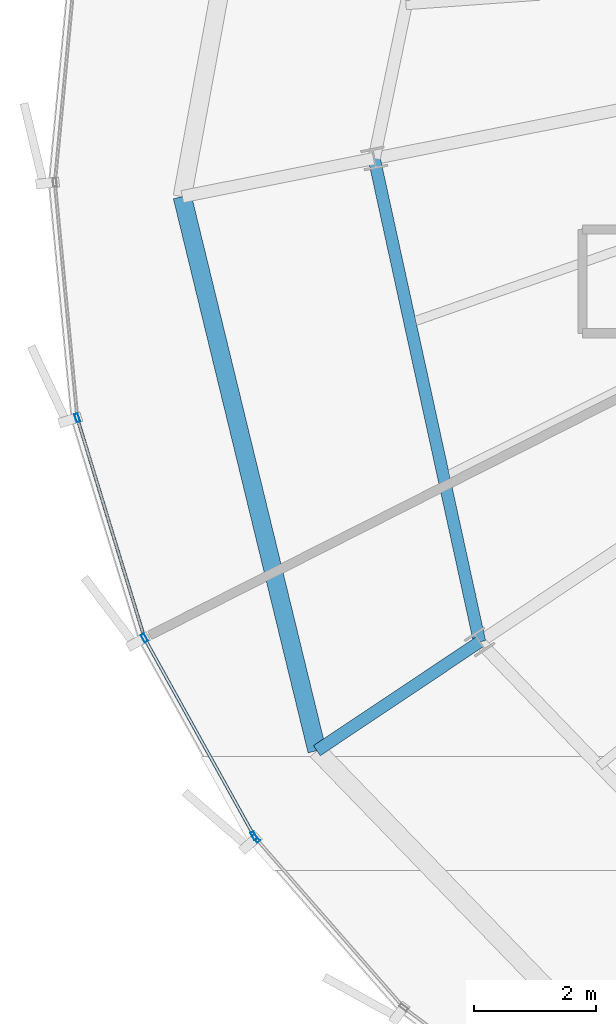
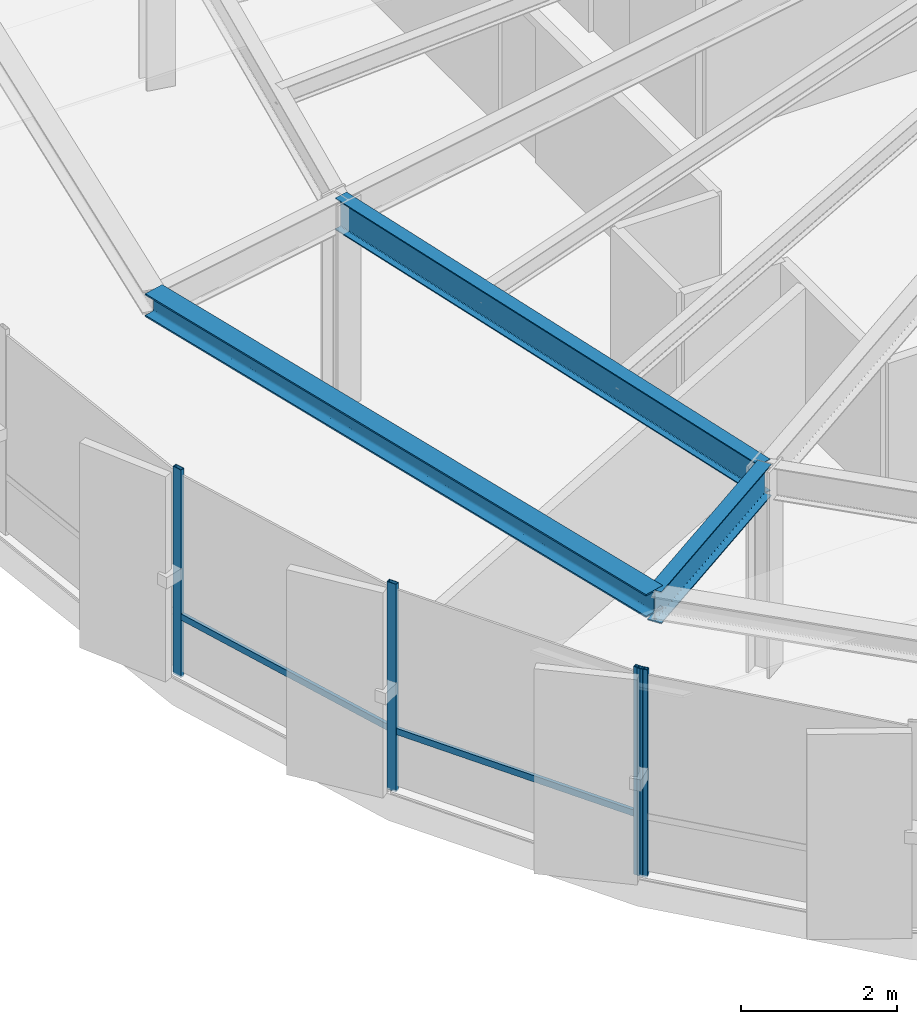
# One storey, part 4 of 36: 6 members, 3 beams, 2 elements without a shape of their own.
"""IFC4 building model written with IfcOpenShell, lengths in metres."""

import ifcopenshell
import ifcopenshell.guid

model = None  # the IFC model being written
_history = None  # IfcOwnerHistory: only IFC2X3 demands one
_inside = {}  # id of a spatial element -> (the spatial element, [elements in it])
_under = {}  # id of a project, library or spatial element -> (it, [spatial elements below it])
_declared = {}  # id of a project -> (the project, [libraries it declares])
_typed = {}  # id of a type object -> (the type object, [elements of that type])
_made_of = {}  # id of a material, layer set ... -> (it, [elements and type objects made of it])


def new_model(schema):
    """Start an empty IFC model of exactly this schema.

    Asked for "IFC4X3", IfcOpenShell would pick the latest addendum, in which some entities
    have other attributes; the version numbers below select the first issue.
    IFC2X3 requires an IfcOwnerHistory on every rooted entity: one is made here for all.
    """
    global model, _history
    if schema == "IFC4X3":
        model = ifcopenshell.file(schema_version=(4, 3, 0, 0))
    else:
        model = ifcopenshell.file(schema=schema)
    _inside.clear()
    _under.clear()
    _declared.clear()
    _typed.clear()
    _made_of.clear()
    _history = None
    if model.schema == "IFC2X3":
        org = make("IfcOrganization", Name="unknown")
        user = make(
            "IfcPersonAndOrganization",
            ThePerson=make("IfcPerson", FamilyName="unknown"),
            TheOrganization=org,
        )
        app = make(
            "IfcApplication",
            ApplicationDeveloper=org,
            Version="unknown",
            ApplicationFullName="unknown",
            ApplicationIdentifier="unknown",
        )
        _history = make(
            "IfcOwnerHistory",
            OwningUser=user,
            OwningApplication=app,
            ChangeAction="ADDED",
            CreationDate=0,
        )
    return model


def make(cls, **values):
    """One entity of the class cls with the attributes given. An attribute that is None is left unset."""
    return model.create_entity(
        cls, **{name: value for name, value in values.items() if value is not None}
    )


def rooted(cls, **values):
    """An entity with a GlobalId (a new one), such as an element, a storey or a relation."""
    return make(cls, GlobalId=ifcopenshell.guid.new(), OwnerHistory=_history, **values)


def si_unit(unit_type, name, prefix=None):
    """IfcSIUnit, for example si_unit("LENGTHUNIT", "METRE", prefix="MILLI")."""
    return make("IfcSIUnit", UnitType=unit_type, Prefix=prefix, Name=name)


def assignment(units):
    """IfcUnitAssignment: the units of a project."""
    return None if units is None else make("IfcUnitAssignment", Units=units)


def point(xyz):
    """IfcCartesianPoint."""
    return None if xyz is None else make("IfcCartesianPoint", Coordinates=xyz)


def direction(xyz):
    """IfcDirection."""
    return None if xyz is None else make("IfcDirection", DirectionRatios=xyz)


def frame(location, z_axis=None, x_axis=None):
    """IfcAxis2Placement3D, a coordinate frame: its origin and axes. An axis left out is left unset."""
    return make(
        "IfcAxis2Placement3D",
        Location=point(location),
        Axis=direction(z_axis),
        RefDirection=direction(x_axis),
    )


def frame_2d(location, x_axis=None):
    """IfcAxis2Placement2D, a coordinate frame in the plane: its origin and x axis."""
    return make(
        "IfcAxis2Placement2D", Location=point(location), RefDirection=direction(x_axis)
    )


def origin():
    """The frame at (0, 0, 0) with its axes left unset."""
    return frame((0.0, 0.0, 0.0))


def origin_2d():
    """The frame at (0, 0) in the plane with its x axis left unset."""
    return frame_2d((0.0, 0.0))


def place(relative_to, where):
    """IfcLocalPlacement: puts the frame where relative to a parent placement (None: the world)."""
    return make(
        "IfcLocalPlacement", PlacementRelTo=relative_to, RelativePlacement=where
    )


def context(
    kind, dimensions, precision=None, world=None, true_north=None, identifier=None
):
    """IfcGeometricRepresentationContext, for example the 3D "Model" context."""
    return make(
        "IfcGeometricRepresentationContext",
        ContextIdentifier=identifier,
        ContextType=kind,
        CoordinateSpaceDimension=dimensions,
        Precision=precision,
        WorldCoordinateSystem=world,
        TrueNorth=true_north,
    )


def subcontext(parent, identifier, kind, view, scale=None):
    """IfcGeometricRepresentationSubContext, for example "Body" below "Model"."""
    return make(
        "IfcGeometricRepresentationSubContext",
        ContextIdentifier=identifier,
        ContextType=kind,
        ParentContext=parent,
        TargetScale=scale,
        TargetView=view,
    )


def project(units=None, contexts=None):
    """IfcProject with its units and contexts."""
    return rooted(
        "IfcProject",
        Name="project",
        RepresentationContexts=contexts,
        UnitsInContext=assignment(units),
    )


def spatial(cls, under=None, at=None, **own):
    """A site, building, storey or space (cls), placed at a placement, below another one or the project."""
    s = rooted(cls, ObjectPlacement=at, **own)
    if under is not None:
        _under.setdefault(under.id(), (under, []))[1].append(s)
    return s


def profile(cls, at=None, kind="AREA", **sizes):
    """A parametric profile (cls). Its sizes go by their IFC names, for example OverallWidth=200.0."""
    return make(cls, ProfileType=kind, Position=at, **sizes)


def hollow_rectangle(**sizes):
    """IfcRectangleHollowProfileDef."""
    return profile("IfcRectangleHollowProfileDef", **sizes)


def i_section(**sizes):
    """IfcIShapeProfileDef."""
    return profile("IfcIShapeProfileDef", **sizes)


def extrude(swept, where, along, depth):
    """IfcExtrudedAreaSolid: the profile swept, set in the frame where, extruded along a direction by depth."""
    return make(
        "IfcExtrudedAreaSolid",
        SweptArea=swept,
        Position=where,
        ExtrudedDirection=direction(along),
        Depth=depth,
    )


def shape(context_of_items, identifier, shape_type, items):
    """IfcShapeRepresentation: the items that make up one representation, for example the "Body"."""
    return make(
        "IfcShapeRepresentation",
        ContextOfItems=context_of_items,
        RepresentationIdentifier=identifier,
        RepresentationType=shape_type,
        Items=items,
    )


def source(mapping_origin, context_of_items, identifier, shape_type, items):
    """IfcRepresentationMap: a shape defined once, which mapped items show again and again."""
    return make(
        "IfcRepresentationMap",
        MappingOrigin=mapping_origin,
        MappedRepresentation=shape(context_of_items, identifier, shape_type, items),
    )


def transform(
    local_origin,
    x_axis=None,
    y_axis=None,
    z_axis=None,
    scale=None,
    scale2=None,
    scale3=None,
    uniform=True,
):
    """IfcCartesianTransformationOperator3D, or its non-uniform kind. x_axis, y_axis, z_axis: its Axis1, 2, 3."""
    if uniform:
        return make(
            "IfcCartesianTransformationOperator3D",
            Axis1=direction(x_axis),
            Axis2=direction(y_axis),
            LocalOrigin=point(local_origin),
            Scale=scale,
            Axis3=direction(z_axis),
        )
    return make(
        "IfcCartesianTransformationOperator3DnonUniform",
        Axis1=direction(x_axis),
        Axis2=direction(y_axis),
        LocalOrigin=point(local_origin),
        Scale=scale,
        Axis3=direction(z_axis),
        Scale2=scale2,
        Scale3=scale3,
    )


def mapped(mapping_source, mapping_target):
    """IfcMappedItem: shows the shape of a source again, moved by a transform."""
    return make(
        "IfcMappedItem", MappingSource=mapping_source, MappingTarget=mapping_target
    )


def material(Name=None, Category=None):
    """IfcMaterial."""
    return make("IfcMaterial", Name=Name, Category=Category)


def layer(
    of_material, thickness, ventilated=None, Name=None, Category=None, Priority=None
):
    """IfcMaterialLayer: one layer of a wall or slab, of a material (None: an air gap)."""
    return make(
        "IfcMaterialLayer",
        Material=of_material,
        LayerThickness=thickness,
        IsVentilated=ventilated,
        Name=Name,
        Category=Category,
        Priority=Priority,
    )


def layer_set(layers, Name=None):
    """IfcMaterialLayerSet."""
    return make("IfcMaterialLayerSet", MaterialLayers=layers, LayerSetName=Name)


def material_profile(
    of_material, cross_section, Name=None, Category=None, Priority=None
):
    """IfcMaterialProfile: a cross section and its material."""
    return make(
        "IfcMaterialProfile",
        Name=Name,
        Material=of_material,
        Profile=cross_section,
        Priority=Priority,
        Category=Category,
    )


def profile_set(profiles, Name=None, composite=None):
    """IfcMaterialProfileSet."""
    return make(
        "IfcMaterialProfileSet",
        Name=Name,
        MaterialProfiles=profiles,
        CompositeProfile=composite,
    )


def made_of(thing, what):
    """Note that an element or type object is made of a material, layer set ...; save() writes the relation."""
    if what is not None:
        _made_of.setdefault(what.id(), (what, []))[1].append(thing)
    return thing


def type_object(cls, material=None, **own):
    """A type object (cls), such as IfcWallType, which elements share."""
    return made_of(rooted(cls, **own), material)


def element(
    cls,
    number,
    at=None,
    inside=None,
    cuts=None,
    type_object=None,
    material=None,
    context=None,
    identifier="Body",
    shape_type=None,
    held_by="IfcProductDefinitionShape",
    body=None,
    shapes=None,
    **own,
):
    """One element of the class cls, such as IfcWall. Its Tag is "e" and its number.

    at: its placement. inside: the storey or other place that contains it. cuts: it is an
    opening in that element (IfcRelVoidsElement). A single representation is given by context,
    identifier, shape_type and body (its items); several are given by shapes. held_by: the class
    of the entity that holds the representations. save() writes the other relations.
    """
    e = rooted(cls, Tag="e%d" % number, ObjectPlacement=at, **own)
    if body is not None:
        shapes = [shape(context, identifier, shape_type, body)]
    if shapes is not None:
        e.Representation = make(held_by, Representations=shapes)
    if inside is not None:
        _inside.setdefault(inside.id(), (inside, []))[1].append(e)
    if cuts is not None:
        rooted(
            "IfcRelVoidsElement", RelatingBuildingElement=cuts, RelatedOpeningElement=e
        )
    if type_object is not None:
        _typed.setdefault(type_object.id(), (type_object, []))[1].append(e)
    return made_of(e, material)


def aggregate(whole, parts):
    """IfcRelAggregates: a whole, such as a stair, and the parts it consists of."""
    return rooted("IfcRelAggregates", RelatingObject=whole, RelatedObjects=parts)


def save(model, path):
    """Write the relations noted so far, then the file.

    IfcRelAggregates (storeys below a building ...), IfcRelContainedInSpatialStructure (elements
    in a storey), IfcRelDefinesByType, IfcRelAssociatesMaterial and IfcRelDeclares: one each for
    every whole, place, type object, material and project.
    """
    for whole, parts in _under.values():
        aggregate(whole, parts)
    for where, things in _inside.values():
        rooted(
            "IfcRelContainedInSpatialStructure",
            RelatedElements=things,
            RelatingStructure=where,
        )
    for kind, things in _typed.values():
        rooted("IfcRelDefinesByType", RelatedObjects=things, RelatingType=kind)
    for what, things in _made_of.values():
        rooted("IfcRelAssociatesMaterial", RelatedObjects=things, RelatingMaterial=what)
    for by, libraries in _declared.values():
        rooted("IfcRelDeclares", RelatingContext=by, RelatedDefinitions=libraries)
    model.write(path)


model = new_model("IFC4")

# Units and contexts
model_context = context("Model", 3, precision=1e-05, world=origin(), true_north=direction((0.0, 1.0)))
body_context = subcontext(model_context, "Body", "Model", "MODEL_VIEW")
ifc_project = project(units=[si_unit("LENGTHUNIT", "METRE"), si_unit("AREAUNIT", "SQUARE_METRE"), si_unit("VOLUMEUNIT", "CUBIC_METRE"), si_unit("PLANEANGLEUNIT", "RADIAN"), si_unit("MASSUNIT", "GRAM", prefix="KILO"), si_unit("THERMODYNAMICTEMPERATUREUNIT", "KELVIN")], contexts=[model_context])

# Site, building, storey
site_placement = place(None, origin())
site = spatial("IfcSite", under=ifc_project, at=site_placement, CompositionType="ELEMENT")
building_placement = place(site_placement, origin())
building = spatial("IfcBuilding", under=site, at=building_placement, Name="Kethvar Cultural Tower", CompositionType="ELEMENT")
storey_placement = place(building_placement, frame((0.0, 0.0, 176.39990234375)))
storey = spatial("IfcBuildingStorey", under=building, at=storey_placement, Name="L45", CompositionType="ELEMENT", Elevation=176.39990234375)

# Beams
ifc_material_1 = material(Name="Steel S355J2", Category="steel")
ifc_material_profile_1 = material_profile(ifc_material_1, i_section(OverallWidth=0.199951171875, OverallDepth=0.5, WebThickness=0.01025390625, FlangeThickness=0.01611328125, FilletRadius=0.02099609375, at=origin_2d()), Name="Steel S355J2 — IPE500")
ifc_profile_set_1 = profile_set([ifc_material_profile_1], Name="Steel S355J2 — IPE500")
beam_type_1 = type_object("IfcBeamType", Name="BM-IPE500", PredefinedType="BEAM", material=ifc_profile_set_1)
shared_shape_1 = source(origin(), body_context, "Body", "SweptSolid", [
    extrude(i_section(OverallWidth=0.199951171875, OverallDepth=0.5, WebThickness=0.01025390625, FlangeThickness=0.01611328125, FilletRadius=0.02099609375, at=origin_2d()), origin(), (0.0, 0.0, 1.0), 3.199951171875),
])
beam_1_placement = place(storey_placement, frame((29.217529296875, 16.0517578125, 3.008056640625), z_axis=(-0.831462943996, -0.555580212716, 0.0), x_axis=(0.555580212716, -0.831462943996, 0.0)))
element("IfcBeam", 1, at=beam_1_placement, inside=storey, type_object=beam_type_1, Name="L45 Perimeter Cantilever Beam RC-10", PredefinedType="BEAM", context=body_context, shape_type="MappedRepresentation", body=[
    mapped(shared_shape_1, transform((0.0, 0.0, 0.0), scale=1.0)),
])
shared_shape_2 = source(origin(), body_context, "Body", "SweptSolid", [
    extrude(i_section(OverallWidth=0.199951171875, OverallDepth=0.5, WebThickness=0.01025390625, FlangeThickness=0.01611328125, FilletRadius=0.02099609375, at=origin_2d()), origin(), (0.0, 0.0, 1.0), 8.09375),
])
beam_2_placement = place(storey_placement, frame((27.492919921875, 23.959716796875, 3.008056640625), z_axis=(0.213077030298, -0.977035403227, 0.0), x_axis=(0.977035403227, 0.213077030298, 0.0)))
element("IfcBeam", 2, at=beam_2_placement, inside=storey, type_object=beam_type_1, Name="L45 Column Ring Tie Beam CR-09", PredefinedType="BEAM", context=body_context, shape_type="MappedRepresentation", body=[
    mapped(shared_shape_2, transform((0.0, 0.0, 0.0), scale=1.0)),
])
ifc_material_profile_2 = material_profile(ifc_material_1, i_section(OverallWidth=0.300048828125, OverallDepth=0.360107421875, WebThickness=0.012451171875, FlangeThickness=0.0224609375, FilletRadius=0.027099609375, at=origin_2d()), Name="Steel S355J2 — HEB360")
ifc_profile_set_2 = profile_set([ifc_material_profile_2], Name="Steel S355J2 — HEB360")
beam_type_2 = type_object("IfcBeamType", Name="BM-SP360", PredefinedType="SPANDREL", material=ifc_profile_set_2)
shared_shape_3 = source(origin(), body_context, "Body", "SweptSolid", [
    extrude(i_section(OverallWidth=0.300048828125, OverallDepth=0.360107421875, WebThickness=0.012451171875, FlangeThickness=0.0224609375, FilletRadius=0.027099609375, at=origin_2d()), origin(), (0.0, 0.0, 1.0), 9.3251953125),
])
beam_3_placement = place(storey_placement, frame((24.3544921875, 23.335205078125, 3.078125), z_axis=(0.236179213868, -0.97170951366, 0.0), x_axis=(0.97170951366, 0.236179213868, 0.0)))
element("IfcBeam", 3, at=beam_3_placement, inside=storey, type_object=beam_type_2, Name="L45 Perimeter Spandrel Beam SP-09", PredefinedType="SPANDREL", context=body_context, shape_type="MappedRepresentation", body=[
    mapped(shared_shape_3, transform((0.0, 0.0, 0.0), scale=1.0)),
])

# Curtain wall, members
ifc_material_2 = material(Name="Aluminium 6063-T6", Category="aluminium")
ifc_layer = layer(ifc_material_2, 0.179931640625, Name="Aluminium 6063-T6", Category="aluminium")
ifc_layer_set = layer_set([ifc_layer], Name="Aluminium 6063-T6 (180 mm)")
curtain_wall_type = type_object("IfcCurtainWallType", Name="CW-SYS-04-Z34", PredefinedType="NOTDEFINED", material=ifc_layer_set)
curtain_wall_1_placement = place(storey_placement, origin())
curtain_wall_1 = element("IfcCurtainWall", 4, at=curtain_wall_1_placement, inside=storey, type_object=curtain_wall_type, Name="L45 Curtain Wall Run 03", PredefinedType="NOTDEFINED")
ifc_material_profile_3 = material_profile(ifc_material_2, hollow_rectangle(XDim=0.06005859375, YDim=0.139892578125, WallThickness=0.0048828125, at=origin_2d()), Name="Aluminium 6063-T6 — RHS140x60x5")
ifc_profile_set_3 = profile_set([ifc_material_profile_3], Name="Aluminium 6063-T6 — RHS140x60x5")
member_type_1 = type_object("IfcMemberType", Name="CW-SYS-04-Z34-MUL", PredefinedType="MULLION", material=ifc_profile_set_3)
shared_shape_4 = source(origin(), body_context, "Body", "SweptSolid", [
    extrude(hollow_rectangle(XDim=0.06005859375, YDim=0.139892578125, WallThickness=0.0048828125, at=origin_2d()), origin(), (0.0, 0.0, 1.0), 3.260009765625),
])
member_1_placement = place(storey_placement, frame((22.635498046875, 19.718017578125, 0.0), z_axis=(0.0, 0.0, 1.0), x_axis=(0.956309858666, 0.292355014012, 0.0)))
member_1 = element("IfcMember", 5, at=member_1_placement, type_object=member_type_1, Name="CW-L45-R03 Mullion 5", PredefinedType="MULLION", context=body_context, shape_type="MappedRepresentation", body=[
    mapped(shared_shape_4, transform((0.0, 0.0, 0.0), scale=1.0)),
])
member_2_placement = place(storey_placement, frame((23.734375, 16.115234375, 0.0), z_axis=(0.0, 0.0, 1.0), x_axis=(0.874552006421, 0.484931735469, 0.0)))
member_2 = element("IfcMember", 6, at=member_2_placement, type_object=member_type_1, Name="CW-L45-R03 Mullion 6", PredefinedType="MULLION", context=body_context, shape_type="MappedRepresentation", body=[
    mapped(shared_shape_4, transform((0.0, 0.0, 0.0), scale=1.0)),
])
member_3_placement = place(storey_placement, frame((25.527099609375, 12.882080078125, 0.0), z_axis=(0.0, 0.0, 1.0), x_axis=(0.874552006421, 0.484931735469, 0.0)))
member_3 = element("IfcMember", 7, at=member_3_placement, type_object=member_type_1, Name="CW-L45-R03 Mullion 7", PredefinedType="MULLION", context=body_context, shape_type="MappedRepresentation", body=[
    mapped(shared_shape_4, transform((0.0, 0.0, 0.0), scale=1.0)),
])

# Curtain wall, member
curtain_wall_2_placement = place(storey_placement, origin())
curtain_wall_2 = element("IfcCurtainWall", 8, at=curtain_wall_2_placement, inside=storey, type_object=curtain_wall_type, Name="L45 Curtain Wall Run 04", PredefinedType="NOTDEFINED")
member_4_placement = place(storey_placement, frame((25.55810546875, 12.837890625, 0.0), z_axis=(0.0, 0.0, 1.0), x_axis=(0.75250687196, 0.658584396758, 0.0)))
member_4 = element("IfcMember", 9, at=member_4_placement, type_object=member_type_1, Name="CW-L45-R04 Mullion 1", PredefinedType="MULLION", context=body_context, shape_type="MappedRepresentation", body=[
    mapped(shared_shape_4, transform((0.0, 0.0, 0.0), scale=1.0)),
])
aggregate(curtain_wall_2, [member_4])

# Member
ifc_material_profile_4 = material_profile(ifc_material_2, hollow_rectangle(XDim=0.050048828125, YDim=0.10009765625, WallThickness=0.00390625, at=origin_2d()), Name="Aluminium 6063-T6 — RHS100x50x4")
ifc_profile_set_4 = profile_set([ifc_material_profile_4], Name="Aluminium 6063-T6 — RHS100x50x4")
member_type_2 = type_object("IfcMemberType", Name="CW-SYS-04-Z34-TRN", PredefinedType="USERDEFINED", material=ifc_profile_set_4)
shared_shape_5 = source(origin(), body_context, "Body", "SweptSolid", [
    extrude(hollow_rectangle(XDim=0.050048828125, YDim=0.10009765625, WallThickness=0.00390625, at=origin_2d()), origin(), (0.0, 0.0, 1.0), 3.703125),
])
member_5_placement = place(storey_placement, frame((22.64794921875, 19.6767578125, 0.9501953125), z_axis=(0.292394402932, -0.956297816129, 0.0), x_axis=(0.956297816129, 0.292394402932, 0.0)))
member_5 = element("IfcMember", 10, at=member_5_placement, type_object=member_type_2, Name="CW-L45-R03 Transom 5", ObjectType="TRANSOM", PredefinedType="USERDEFINED", context=body_context, shape_type="MappedRepresentation", body=[
    mapped(shared_shape_5, transform((0.0, 0.0, 0.0), scale=1.0)),
])

shared_shape_6 = source(origin(), body_context, "Body", "SweptSolid", [
    extrude(hollow_rectangle(XDim=0.050048828125, YDim=0.10009765625, WallThickness=0.00390625, at=origin_2d()), origin(), (0.0, 0.0, 1.0), 3.6494140625),
])
member_6_placement = place(storey_placement, frame((23.755126953125, 16.07763671875, 0.9501953125), z_axis=(0.484938458678, -0.874548278424, 0.0), x_axis=(0.874548278424, 0.484938458678, 0.0)))
member_6 = element("IfcMember", 11, at=member_6_placement, type_object=member_type_2, Name="CW-L45-R03 Transom 6", ObjectType="TRANSOM", PredefinedType="USERDEFINED", context=body_context, shape_type="MappedRepresentation", body=[
    mapped(shared_shape_6, transform((0.0, 0.0, 0.0), scale=1.0)),
])

aggregate(curtain_wall_1, [member_1, member_2, member_3, member_5, member_6])

save(model, "model.ifc")
